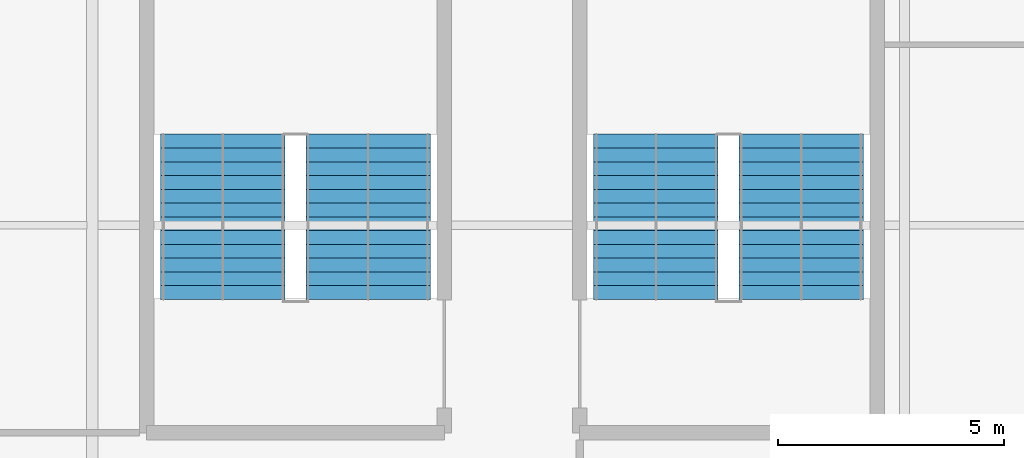
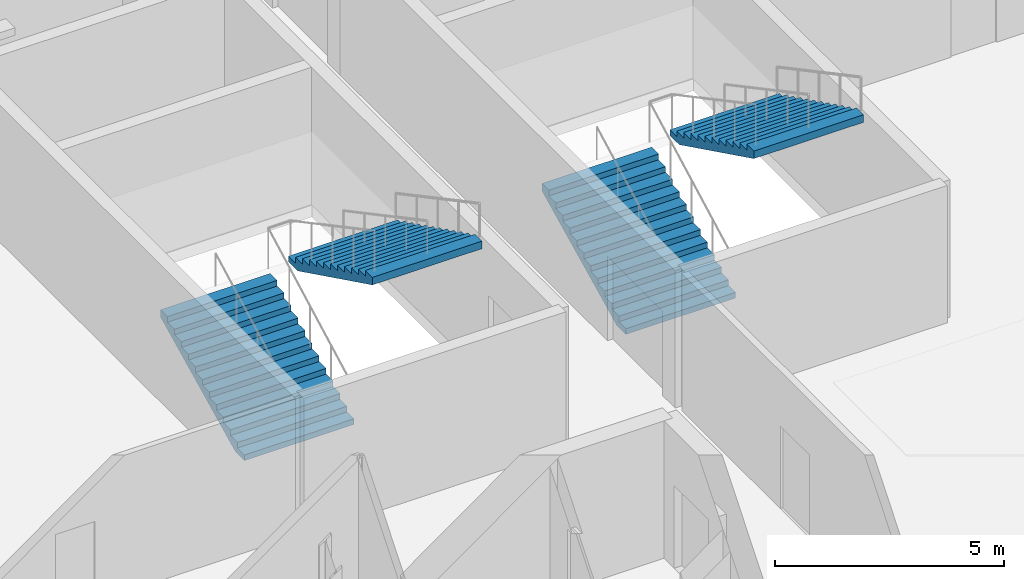
# One storey, part 80 of 96: 4 stair flights, 2 elements without a shape of their own.
"""IFC4 building model written with IfcOpenShell, lengths in metres."""

import ifcopenshell
import ifcopenshell.guid

model = None  # the IFC model being written
_history = None  # IfcOwnerHistory: only IFC2X3 demands one
_inside = {}  # id of a spatial element -> (the spatial element, [elements in it])
_under = {}  # id of a project, library or spatial element -> (it, [spatial elements below it])
_declared = {}  # id of a project -> (the project, [libraries it declares])
_typed = {}  # id of a type object -> (the type object, [elements of that type])
_made_of = {}  # id of a material, layer set ... -> (it, [elements and type objects made of it])


def new_model(schema):
    """Start an empty IFC model of exactly this schema.

    Asked for "IFC4X3", IfcOpenShell would pick the latest addendum, in which some entities
    have other attributes; the version numbers below select the first issue.
    IFC2X3 requires an IfcOwnerHistory on every rooted entity: one is made here for all.
    """
    global model, _history
    if schema == "IFC4X3":
        model = ifcopenshell.file(schema_version=(4, 3, 0, 0))
    else:
        model = ifcopenshell.file(schema=schema)
    _inside.clear()
    _under.clear()
    _declared.clear()
    _typed.clear()
    _made_of.clear()
    _history = None
    if model.schema == "IFC2X3":
        org = make("IfcOrganization", Name="unknown")
        user = make(
            "IfcPersonAndOrganization",
            ThePerson=make("IfcPerson", FamilyName="unknown"),
            TheOrganization=org,
        )
        app = make(
            "IfcApplication",
            ApplicationDeveloper=org,
            Version="unknown",
            ApplicationFullName="unknown",
            ApplicationIdentifier="unknown",
        )
        _history = make(
            "IfcOwnerHistory",
            OwningUser=user,
            OwningApplication=app,
            ChangeAction="ADDED",
            CreationDate=0,
        )
    return model


def make(cls, **values):
    """One entity of the class cls with the attributes given. An attribute that is None is left unset."""
    return model.create_entity(
        cls, **{name: value for name, value in values.items() if value is not None}
    )


def rooted(cls, **values):
    """An entity with a GlobalId (a new one), such as an element, a storey or a relation."""
    return make(cls, GlobalId=ifcopenshell.guid.new(), OwnerHistory=_history, **values)


def si_unit(unit_type, name, prefix=None):
    """IfcSIUnit, for example si_unit("LENGTHUNIT", "METRE", prefix="MILLI")."""
    return make("IfcSIUnit", UnitType=unit_type, Prefix=prefix, Name=name)


def assignment(units):
    """IfcUnitAssignment: the units of a project."""
    return None if units is None else make("IfcUnitAssignment", Units=units)


def point(xyz):
    """IfcCartesianPoint."""
    return None if xyz is None else make("IfcCartesianPoint", Coordinates=xyz)


def direction(xyz):
    """IfcDirection."""
    return None if xyz is None else make("IfcDirection", DirectionRatios=xyz)


def frame(location, z_axis=None, x_axis=None):
    """IfcAxis2Placement3D, a coordinate frame: its origin and axes. An axis left out is left unset."""
    return make(
        "IfcAxis2Placement3D",
        Location=point(location),
        Axis=direction(z_axis),
        RefDirection=direction(x_axis),
    )


def origin():
    """The frame at (0, 0, 0) with its axes left unset."""
    return frame((0.0, 0.0, 0.0))


def place(relative_to, where):
    """IfcLocalPlacement: puts the frame where relative to a parent placement (None: the world)."""
    return make(
        "IfcLocalPlacement", PlacementRelTo=relative_to, RelativePlacement=where
    )


def context(
    kind, dimensions, precision=None, world=None, true_north=None, identifier=None
):
    """IfcGeometricRepresentationContext, for example the 3D "Model" context."""
    return make(
        "IfcGeometricRepresentationContext",
        ContextIdentifier=identifier,
        ContextType=kind,
        CoordinateSpaceDimension=dimensions,
        Precision=precision,
        WorldCoordinateSystem=world,
        TrueNorth=true_north,
    )


def subcontext(parent, identifier, kind, view, scale=None):
    """IfcGeometricRepresentationSubContext, for example "Body" below "Model"."""
    return make(
        "IfcGeometricRepresentationSubContext",
        ContextIdentifier=identifier,
        ContextType=kind,
        ParentContext=parent,
        TargetScale=scale,
        TargetView=view,
    )


def project(units=None, contexts=None):
    """IfcProject with its units and contexts."""
    return rooted(
        "IfcProject",
        Name="project",
        RepresentationContexts=contexts,
        UnitsInContext=assignment(units),
    )


def spatial(cls, under=None, at=None, **own):
    """A site, building, storey or space (cls), placed at a placement, below another one or the project."""
    s = rooted(cls, ObjectPlacement=at, **own)
    if under is not None:
        _under.setdefault(under.id(), (under, []))[1].append(s)
    return s


def point_list(points):
    """IfcCartesianPointList2D or 3D."""
    cls = (
        "IfcCartesianPointList2D" if len(points[0]) == 2 else "IfcCartesianPointList3D"
    )
    return make(cls, CoordList=points)


def polygons(points, faces, closed=None, point_numbers=None):
    """IfcPolygonalFaceSet: a face is its outer loop, then its inner loops; points numbered from 1."""
    made = []
    for loops in faces:
        if len(loops) == 1:
            made.append(make("IfcIndexedPolygonalFace", CoordIndex=loops[0]))
        else:
            made.append(
                make(
                    "IfcIndexedPolygonalFaceWithVoids",
                    CoordIndex=loops[0],
                    InnerCoordIndices=loops[1:],
                )
            )
    return make(
        "IfcPolygonalFaceSet",
        Coordinates=point_list(points),
        Closed=closed,
        Faces=made,
        PnIndex=point_numbers,
    )


def shape(context_of_items, identifier, shape_type, items):
    """IfcShapeRepresentation: the items that make up one representation, for example the "Body"."""
    return make(
        "IfcShapeRepresentation",
        ContextOfItems=context_of_items,
        RepresentationIdentifier=identifier,
        RepresentationType=shape_type,
        Items=items,
    )


def material(Name=None, Category=None):
    """IfcMaterial."""
    return make("IfcMaterial", Name=Name, Category=Category)


def made_of(thing, what):
    """Note that an element or type object is made of a material, layer set ...; save() writes the relation."""
    if what is not None:
        _made_of.setdefault(what.id(), (what, []))[1].append(thing)
    return thing


def type_object(cls, material=None, **own):
    """A type object (cls), such as IfcWallType, which elements share."""
    return made_of(rooted(cls, **own), material)


def element(
    cls,
    number,
    at=None,
    inside=None,
    cuts=None,
    type_object=None,
    material=None,
    context=None,
    identifier="Body",
    shape_type=None,
    held_by="IfcProductDefinitionShape",
    body=None,
    shapes=None,
    **own,
):
    """One element of the class cls, such as IfcWall. Its Tag is "e" and its number.

    at: its placement. inside: the storey or other place that contains it. cuts: it is an
    opening in that element (IfcRelVoidsElement). A single representation is given by context,
    identifier, shape_type and body (its items); several are given by shapes. held_by: the class
    of the entity that holds the representations. save() writes the other relations.
    """
    e = rooted(cls, Tag="e%d" % number, ObjectPlacement=at, **own)
    if body is not None:
        shapes = [shape(context, identifier, shape_type, body)]
    if shapes is not None:
        e.Representation = make(held_by, Representations=shapes)
    if inside is not None:
        _inside.setdefault(inside.id(), (inside, []))[1].append(e)
    if cuts is not None:
        rooted(
            "IfcRelVoidsElement", RelatingBuildingElement=cuts, RelatedOpeningElement=e
        )
    if type_object is not None:
        _typed.setdefault(type_object.id(), (type_object, []))[1].append(e)
    return made_of(e, material)


def aggregate(whole, parts):
    """IfcRelAggregates: a whole, such as a stair, and the parts it consists of."""
    return rooted("IfcRelAggregates", RelatingObject=whole, RelatedObjects=parts)


def save(model, path):
    """Write the relations noted so far, then the file.

    IfcRelAggregates (storeys below a building ...), IfcRelContainedInSpatialStructure (elements
    in a storey), IfcRelDefinesByType, IfcRelAssociatesMaterial and IfcRelDeclares: one each for
    every whole, place, type object, material and project.
    """
    for whole, parts in _under.values():
        aggregate(whole, parts)
    for where, things in _inside.values():
        rooted(
            "IfcRelContainedInSpatialStructure",
            RelatedElements=things,
            RelatingStructure=where,
        )
    for kind, things in _typed.values():
        rooted("IfcRelDefinesByType", RelatedObjects=things, RelatingType=kind)
    for what, things in _made_of.values():
        rooted("IfcRelAssociatesMaterial", RelatedObjects=things, RelatingMaterial=what)
    for by, libraries in _declared.values():
        rooted("IfcRelDeclares", RelatingContext=by, RelatedDefinitions=libraries)
    model.write(path)


model = new_model("IFC4")

# Units and contexts
model_context = context("Model", 3, precision=1e-05, world=origin(), true_north=direction((0.0, 1.0)))
body_context = subcontext(model_context, "Body", "Model", "MODEL_VIEW")
ifc_project = project(units=[si_unit("LENGTHUNIT", "METRE"), si_unit("AREAUNIT", "SQUARE_METRE"), si_unit("VOLUMEUNIT", "CUBIC_METRE"), si_unit("PLANEANGLEUNIT", "RADIAN"), si_unit("MASSUNIT", "GRAM", prefix="KILO")], contexts=[model_context])

# Site, building, storey
site_placement = place(None, origin())
site = spatial("IfcSite", under=ifc_project, at=site_placement, CompositionType="ELEMENT")
building_placement = place(site_placement, origin())
building = spatial("IfcBuilding", under=site, at=building_placement, Name="Kisiwana Market Hall", CompositionType="ELEMENT")
storey_placement = place(building_placement, frame((0.0, 0.0, 25.5)))
storey = spatial("IfcBuildingStorey", under=building, at=storey_placement, Name="L05", CompositionType="ELEMENT", Elevation=25.5)

# Stair, stair flights
ifc_material_1 = material(Name="Concrete C32/40", Category="concrete")
stair_type = type_object("IfcStairType", Name="ST-ESC-3900", PredefinedType="TWO_STRAIGHT_RUN_STAIR", material=ifc_material_1)
stair_1_placement = place(storey_placement, origin())
stair_1 = element("IfcStair", 1, at=stair_1_placement, inside=storey, type_object=stair_type, Name="Escape stair ST-W3-L05", PredefinedType="TWO_STRAIGHT_RUN_STAIR")
ifc_material_2 = material(Name="Concrete C32/40", Category="concrete")
stair_flight_type = type_object("IfcStairFlightType", Name="SF-ESC-3900", PredefinedType="STRAIGHT", material=ifc_material_2)
stair_flight_1_placement = place(storey_placement, frame((11.889892578125, 42.360107421875, 0.0), z_axis=(0.0, 0.0, 1.0), x_axis=(0.0, 1.0, 0.0)))
stair_flight_1 = element("IfcStairFlight", 2, at=stair_flight_1_placement, type_object=stair_flight_type, Name="ST-W3-L05 flight 1", NumberOfRisers=13, NumberOfTreads=12, PredefinedType="STRAIGHT", RiserHeight=0.15, TreadLength=0.305, context=body_context, shape_type="Tessellation", body=[
    polygons([(0.0, -1.380127, 0.0), (0.0, -0.690125, 0.0), (0.0, -0.000122, 0.0), (0.0, 0.68988, 0.0), (0.0, 1.379883, 0.0), (0.0, -1.380127, 0.149902), (0.0, -0.690125, 0.149902), (0.0, -0.000122, 0.149902), (0.0, 0.68988, 0.149902), (0.0, 1.379883, 0.149902), (0.304932, -1.380127, 0.149902), (0.304932, -0.690125, 0.149902), (0.304932, -0.000122, 0.149902), (0.304932, 0.68988, 0.149902), (0.304932, 1.379883, 0.149902), (0.304932, -1.380127, 0.300049), (0.304932, -0.690125, 0.300049), (0.304932, -0.000122, 0.300049), (0.304932, 0.68988, 0.300049), (0.304932, 1.379883, 0.300049), (0.610107, -1.380127, 0.300049), (0.610107, -0.690125, 0.300049), (0.610107, -0.000122, 0.300049), (0.610107, 0.68988, 0.300049), (0.610107, 1.379883, 0.300049), (0.610107, -1.380127, 0.449951), (0.610107, -0.690125, 0.449951), (0.610107, -0.000122, 0.449951), (0.610107, 0.68988, 0.449951), (0.610107, 1.379883, 0.449951), (0.915039, -1.380127, 0.449951), (0.915039, -0.690125, 0.449951), (0.915039, -0.000122, 0.449951), (0.915039, 0.68988, 0.449951), (0.915039, 1.379883, 0.449951), (0.915039, -1.380127, 0.600098), (0.915039, -0.690125, 0.600098), (0.915039, -0.000122, 0.600098), (0.915039, 0.68988, 0.600098), (0.915039, 1.379883, 0.600098), (1.219971, -1.380127, 0.600098), (1.219971, -0.690125, 0.600098), (1.219971, -0.000122, 0.600098), (1.219971, 0.68988, 0.600098), (1.219971, 1.379883, 0.600098), (1.219971, -1.380127, 0.75), (1.219971, -0.690125, 0.75), (1.219971, -0.000122, 0.75), (1.219971, 0.68988, 0.75), (1.219971, 1.379883, 0.75), (1.524902, -1.380127, 0.75), (1.524902, -0.690125, 0.75), (1.524902, -0.000122, 0.75), (1.524902, 0.68988, 0.75), (1.524902, 1.379883, 0.75), (1.524902, -1.380127, 0.899902), (1.524902, -0.690125, 0.899902), (1.524902, -0.000122, 0.899902), (1.524902, 0.68988, 0.899902), (1.524902, 1.379883, 0.899902), (1.830078, -1.380127, 0.899902), (1.830078, -0.690125, 0.899902), (1.830078, -0.000122, 0.899902), (1.830078, 0.68988, 0.899902), (1.830078, 1.379883, 0.899902), (1.830078, -1.380127, 1.050049), (1.830078, -0.690125, 1.050049), (1.830078, -0.000122, 1.050049), (1.830078, 0.68988, 1.050049), (1.830078, 1.379883, 1.050049), (2.13501, -1.380127, 1.050049), (2.13501, -0.690125, 1.050049), (2.13501, -0.000122, 1.050049), (2.13501, 0.68988, 1.050049), (2.13501, 1.379883, 1.050049), (2.13501, -1.380127, 1.199951), (2.13501, -0.690125, 1.199951), (2.13501, -0.000122, 1.199951), (2.13501, 0.68988, 1.199951), (2.13501, 1.379883, 1.199951), (2.439941, -1.380127, 1.199951), (2.439941, -0.690125, 1.199951), (2.439941, -0.000122, 1.199951), (2.439941, 0.68988, 1.199951), (2.439941, 1.379883, 1.199951), (2.439941, -1.380127, 1.350098), (2.439941, -0.690125, 1.350098), (2.439941, -0.000122, 1.350098), (2.439941, 0.68988, 1.350098), (2.439941, 1.379883, 1.350098), (2.745117, -1.380127, 1.350098), (2.745117, -0.690125, 1.350098), (2.745117, -0.000122, 1.350098), (2.745117, 0.68988, 1.350098), (2.745117, 1.379883, 1.350098), (2.745117, -1.380127, 1.5), (2.745117, -0.690125, 1.5), (2.745117, -0.000122, 1.5), (2.745117, 0.68988, 1.5), (2.745117, 1.379883, 1.5), (3.050049, -1.380127, 1.5), (3.050049, -0.690125, 1.5), (3.050049, -0.000122, 1.5), (3.050049, 0.68988, 1.5), (3.050049, 1.379883, 1.5), (3.050049, -1.380127, 1.649902), (3.050049, -0.690125, 1.649902), (3.050049, -0.000122, 1.649902), (3.050049, 0.68988, 1.649902), (3.050049, 1.379883, 1.649902), (3.35498, -1.380127, 1.649902), (3.35498, -0.690125, 1.649902), (3.35498, -0.000122, 1.649902), (3.35498, 0.68988, 1.649902), (3.35498, 1.379883, 1.649902), (3.35498, -1.380127, 1.800049), (3.35498, -0.690125, 1.800049), (3.35498, -0.000122, 1.800049), (3.35498, 0.68988, 1.800049), (3.35498, 1.379883, 1.800049), (3.659912, -1.380127, 1.800049), (3.659912, -0.690125, 1.800049), (3.659912, -0.000122, 1.800049), (3.659912, 0.68988, 1.800049), (3.659912, 1.379883, 1.800049), (3.659912, -1.380127, 1.599365), (3.659912, -0.690125, 1.599365), (3.659912, -0.000122, 1.599365), (3.659912, 0.68988, 1.599365), (3.659912, 1.379883, 1.599365), (0.407715, -1.380127, 0.0), (0.407715, -0.690125, 0.0), (0.407715, -0.000122, 0.0), (0.407715, 0.68988, 0.0), (0.407715, 1.379883, 0.0)], [[[1, 6, 7, 2]], [[2, 7, 8, 3]], [[3, 8, 9, 4]], [[4, 9, 10, 5]], [[6, 11, 12, 7]], [[7, 12, 13, 8]], [[8, 13, 14, 9]], [[9, 14, 15, 10]], [[11, 16, 17, 12]], [[12, 17, 18, 13]], [[13, 18, 19, 14]], [[14, 19, 20, 15]], [[16, 21, 22, 17]], [[17, 22, 23, 18]], [[18, 23, 24, 19]], [[19, 24, 25, 20]], [[21, 26, 27, 22]], [[22, 27, 28, 23]], [[23, 28, 29, 24]], [[24, 29, 30, 25]], [[26, 31, 32, 27]], [[27, 32, 33, 28]], [[28, 33, 34, 29]], [[29, 34, 35, 30]], [[31, 36, 37, 32]], [[32, 37, 38, 33]], [[33, 38, 39, 34]], [[34, 39, 40, 35]], [[36, 41, 42, 37]], [[37, 42, 43, 38]], [[38, 43, 44, 39]], [[39, 44, 45, 40]], [[41, 46, 47, 42]], [[42, 47, 48, 43]], [[43, 48, 49, 44]], [[44, 49, 50, 45]], [[46, 51, 52, 47]], [[47, 52, 53, 48]], [[48, 53, 54, 49]], [[49, 54, 55, 50]], [[51, 56, 57, 52]], [[52, 57, 58, 53]], [[53, 58, 59, 54]], [[54, 59, 60, 55]], [[56, 61, 62, 57]], [[57, 62, 63, 58]], [[58, 63, 64, 59]], [[59, 64, 65, 60]], [[61, 66, 67, 62]], [[62, 67, 68, 63]], [[63, 68, 69, 64]], [[64, 69, 70, 65]], [[66, 71, 72, 67]], [[67, 72, 73, 68]], [[68, 73, 74, 69]], [[69, 74, 75, 70]], [[71, 76, 77, 72]], [[72, 77, 78, 73]], [[73, 78, 79, 74]], [[74, 79, 80, 75]], [[76, 81, 82, 77]], [[77, 82, 83, 78]], [[78, 83, 84, 79]], [[79, 84, 85, 80]], [[81, 86, 87, 82]], [[82, 87, 88, 83]], [[83, 88, 89, 84]], [[84, 89, 90, 85]], [[86, 91, 92, 87]], [[87, 92, 93, 88]], [[88, 93, 94, 89]], [[89, 94, 95, 90]], [[91, 96, 97, 92]], [[92, 97, 98, 93]], [[93, 98, 99, 94]], [[94, 99, 100, 95]], [[96, 101, 102, 97]], [[97, 102, 103, 98]], [[98, 103, 104, 99]], [[99, 104, 105, 100]], [[101, 106, 107, 102]], [[102, 107, 108, 103]], [[103, 108, 109, 104]], [[104, 109, 110, 105]], [[106, 111, 112, 107]], [[107, 112, 113, 108]], [[108, 113, 114, 109]], [[109, 114, 115, 110]], [[111, 116, 117, 112]], [[112, 117, 118, 113]], [[113, 118, 119, 114]], [[114, 119, 120, 115]], [[116, 121, 122, 117]], [[117, 122, 123, 118]], [[118, 123, 124, 119]], [[119, 124, 125, 120]], [[121, 126, 127, 122]], [[122, 127, 128, 123]], [[123, 128, 129, 124]], [[124, 129, 130, 125]], [[126, 131, 132, 127]], [[127, 132, 133, 128]], [[128, 133, 134, 129]], [[129, 134, 135, 130]], [[131, 1, 2, 132]], [[132, 2, 3, 133]], [[133, 3, 4, 134]], [[134, 4, 5, 135]], [[131, 126, 121, 116, 111, 106, 101, 96, 91, 86, 81, 76, 71, 66, 61, 56, 51, 46, 41, 36, 31, 26, 21, 16, 11, 6, 1]], [[5, 10, 15, 20, 25, 30, 35, 40, 45, 50, 55, 60, 65, 70, 75, 80, 85, 90, 95, 100, 105, 110, 115, 120, 125, 130, 135]]], closed=True),
])
stair_flight_2_placement = place(storey_placement, frame((15.110107421875, 46.02001953125, 1.949951171875), z_axis=(0.0, 0.0, 1.0), x_axis=(0.0, -1.0, 0.0)))
stair_flight_2 = element("IfcStairFlight", 3, at=stair_flight_2_placement, type_object=stair_flight_type, Name="ST-W3-L05 flight 2", NumberOfRisers=13, NumberOfTreads=12, PredefinedType="STRAIGHT", RiserHeight=0.15, TreadLength=0.305, context=body_context, shape_type="Tessellation", body=[
    polygons([(0.0, -1.380127, 0.0), (0.0, -0.690125, 0.0), (0.0, -0.000122, 0.0), (0.0, 0.68988, 0.0), (0.0, 1.379883, 0.0), (0.0, -1.380127, 0.149902), (0.0, -0.690125, 0.149902), (0.0, -0.000122, 0.149902), (0.0, 0.68988, 0.149902), (0.0, 1.379883, 0.149902), (0.304932, -1.380127, 0.149902), (0.304932, -0.690125, 0.149902), (0.304932, -0.000122, 0.149902), (0.304932, 0.68988, 0.149902), (0.304932, 1.379883, 0.149902), (0.304932, -1.380127, 0.300049), (0.304932, -0.690125, 0.300049), (0.304932, -0.000122, 0.300049), (0.304932, 0.68988, 0.300049), (0.304932, 1.379883, 0.300049), (0.610107, -1.380127, 0.300049), (0.610107, -0.690125, 0.300049), (0.610107, -0.000122, 0.300049), (0.610107, 0.68988, 0.300049), (0.610107, 1.379883, 0.300049), (0.610107, -1.380127, 0.449951), (0.610107, -0.690125, 0.449951), (0.610107, -0.000122, 0.449951), (0.610107, 0.68988, 0.449951), (0.610107, 1.379883, 0.449951), (0.915039, -1.380127, 0.449951), (0.915039, -0.690125, 0.449951), (0.915039, -0.000122, 0.449951), (0.915039, 0.68988, 0.449951), (0.915039, 1.379883, 0.449951), (0.915039, -1.380127, 0.600098), (0.915039, -0.690125, 0.600098), (0.915039, -0.000122, 0.600098), (0.915039, 0.68988, 0.600098), (0.915039, 1.379883, 0.600098), (1.219971, -1.380127, 0.600098), (1.219971, -0.690125, 0.600098), (1.219971, -0.000122, 0.600098), (1.219971, 0.68988, 0.600098), (1.219971, 1.379883, 0.600098), (1.219971, -1.380127, 0.75), (1.219971, -0.690125, 0.75), (1.219971, -0.000122, 0.75), (1.219971, 0.68988, 0.75), (1.219971, 1.379883, 0.75), (1.524902, -1.380127, 0.75), (1.524902, -0.690125, 0.75), (1.524902, -0.000122, 0.75), (1.524902, 0.68988, 0.75), (1.524902, 1.379883, 0.75), (1.524902, -1.380127, 0.899902), (1.524902, -0.690125, 0.899902), (1.524902, -0.000122, 0.899902), (1.524902, 0.68988, 0.899902), (1.524902, 1.379883, 0.899902), (1.830078, -1.380127, 0.899902), (1.830078, -0.690125, 0.899902), (1.830078, -0.000122, 0.899902), (1.830078, 0.68988, 0.899902), (1.830078, 1.379883, 0.899902), (1.830078, -1.380127, 1.050049), (1.830078, -0.690125, 1.050049), (1.830078, -0.000122, 1.050049), (1.830078, 0.68988, 1.050049), (1.830078, 1.379883, 1.050049), (2.13501, -1.380127, 1.050049), (2.13501, -0.690125, 1.050049), (2.13501, -0.000122, 1.050049), (2.13501, 0.68988, 1.050049), (2.13501, 1.379883, 1.050049), (2.13501, -1.380127, 1.199951), (2.13501, -0.690125, 1.199951), (2.13501, -0.000122, 1.199951), (2.13501, 0.68988, 1.199951), (2.13501, 1.379883, 1.199951), (2.439941, -1.380127, 1.199951), (2.439941, -0.690125, 1.199951), (2.439941, -0.000122, 1.199951), (2.439941, 0.68988, 1.199951), (2.439941, 1.379883, 1.199951), (2.439941, -1.380127, 1.350098), (2.439941, -0.690125, 1.350098), (2.439941, -0.000122, 1.350098), (2.439941, 0.68988, 1.350098), (2.439941, 1.379883, 1.350098), (2.745117, -1.380127, 1.350098), (2.745117, -0.690125, 1.350098), (2.745117, -0.000122, 1.350098), (2.745117, 0.68988, 1.350098), (2.745117, 1.379883, 1.350098), (2.745117, -1.380127, 1.5), (2.745117, -0.690125, 1.5), (2.745117, -0.000122, 1.5), (2.745117, 0.68988, 1.5), (2.745117, 1.379883, 1.5), (3.050049, -1.380127, 1.5), (3.050049, -0.690125, 1.5), (3.050049, -0.000122, 1.5), (3.050049, 0.68988, 1.5), (3.050049, 1.379883, 1.5), (3.050049, -1.380127, 1.649902), (3.050049, -0.690125, 1.649902), (3.050049, -0.000122, 1.649902), (3.050049, 0.68988, 1.649902), (3.050049, 1.379883, 1.649902), (3.35498, -1.380127, 1.649902), (3.35498, -0.690125, 1.649902), (3.35498, -0.000122, 1.649902), (3.35498, 0.68988, 1.649902), (3.35498, 1.379883, 1.649902), (3.35498, -1.380127, 1.800049), (3.35498, -0.690125, 1.800049), (3.35498, -0.000122, 1.800049), (3.35498, 0.68988, 1.800049), (3.35498, 1.379883, 1.800049), (3.659912, -1.380127, 1.800049), (3.659912, -0.690125, 1.800049), (3.659912, -0.000122, 1.800049), (3.659912, 0.68988, 1.800049), (3.659912, 1.379883, 1.800049), (3.659912, -1.380127, 1.599365), (3.659912, -0.690125, 1.599365), (3.659912, -0.000122, 1.599365), (3.659912, 0.68988, 1.599365), (3.659912, 1.379883, 1.599365), (0.407715, -1.380127, 0.0), (0.407715, -0.690125, 0.0), (0.407715, -0.000122, 0.0), (0.407715, 0.68988, 0.0), (0.407715, 1.379883, 0.0)], [[[1, 6, 7, 2]], [[2, 7, 8, 3]], [[3, 8, 9, 4]], [[4, 9, 10, 5]], [[6, 11, 12, 7]], [[7, 12, 13, 8]], [[8, 13, 14, 9]], [[9, 14, 15, 10]], [[11, 16, 17, 12]], [[12, 17, 18, 13]], [[13, 18, 19, 14]], [[14, 19, 20, 15]], [[16, 21, 22, 17]], [[17, 22, 23, 18]], [[18, 23, 24, 19]], [[19, 24, 25, 20]], [[21, 26, 27, 22]], [[22, 27, 28, 23]], [[23, 28, 29, 24]], [[24, 29, 30, 25]], [[26, 31, 32, 27]], [[27, 32, 33, 28]], [[28, 33, 34, 29]], [[29, 34, 35, 30]], [[31, 36, 37, 32]], [[32, 37, 38, 33]], [[33, 38, 39, 34]], [[34, 39, 40, 35]], [[36, 41, 42, 37]], [[37, 42, 43, 38]], [[38, 43, 44, 39]], [[39, 44, 45, 40]], [[41, 46, 47, 42]], [[42, 47, 48, 43]], [[43, 48, 49, 44]], [[44, 49, 50, 45]], [[46, 51, 52, 47]], [[47, 52, 53, 48]], [[48, 53, 54, 49]], [[49, 54, 55, 50]], [[51, 56, 57, 52]], [[52, 57, 58, 53]], [[53, 58, 59, 54]], [[54, 59, 60, 55]], [[56, 61, 62, 57]], [[57, 62, 63, 58]], [[58, 63, 64, 59]], [[59, 64, 65, 60]], [[61, 66, 67, 62]], [[62, 67, 68, 63]], [[63, 68, 69, 64]], [[64, 69, 70, 65]], [[66, 71, 72, 67]], [[67, 72, 73, 68]], [[68, 73, 74, 69]], [[69, 74, 75, 70]], [[71, 76, 77, 72]], [[72, 77, 78, 73]], [[73, 78, 79, 74]], [[74, 79, 80, 75]], [[76, 81, 82, 77]], [[77, 82, 83, 78]], [[78, 83, 84, 79]], [[79, 84, 85, 80]], [[81, 86, 87, 82]], [[82, 87, 88, 83]], [[83, 88, 89, 84]], [[84, 89, 90, 85]], [[86, 91, 92, 87]], [[87, 92, 93, 88]], [[88, 93, 94, 89]], [[89, 94, 95, 90]], [[91, 96, 97, 92]], [[92, 97, 98, 93]], [[93, 98, 99, 94]], [[94, 99, 100, 95]], [[96, 101, 102, 97]], [[97, 102, 103, 98]], [[98, 103, 104, 99]], [[99, 104, 105, 100]], [[101, 106, 107, 102]], [[102, 107, 108, 103]], [[103, 108, 109, 104]], [[104, 109, 110, 105]], [[106, 111, 112, 107]], [[107, 112, 113, 108]], [[108, 113, 114, 109]], [[109, 114, 115, 110]], [[111, 116, 117, 112]], [[112, 117, 118, 113]], [[113, 118, 119, 114]], [[114, 119, 120, 115]], [[116, 121, 122, 117]], [[117, 122, 123, 118]], [[118, 123, 124, 119]], [[119, 124, 125, 120]], [[121, 126, 127, 122]], [[122, 127, 128, 123]], [[123, 128, 129, 124]], [[124, 129, 130, 125]], [[126, 131, 132, 127]], [[127, 132, 133, 128]], [[128, 133, 134, 129]], [[129, 134, 135, 130]], [[131, 1, 2, 132]], [[132, 2, 3, 133]], [[133, 3, 4, 134]], [[134, 4, 5, 135]], [[131, 126, 121, 116, 111, 106, 101, 96, 91, 86, 81, 76, 71, 66, 61, 56, 51, 46, 41, 36, 31, 26, 21, 16, 11, 6, 1]], [[5, 10, 15, 20, 25, 30, 35, 40, 45, 50, 55, 60, 65, 70, 75, 80, 85, 90, 95, 100, 105, 110, 115, 120, 125, 130, 135]]], closed=True),
])
aggregate(stair_1, [stair_flight_1, stair_flight_2])

stair_2_placement = place(storey_placement, origin())
stair_2 = element("IfcStair", 4, at=stair_2_placement, inside=storey, type_object=stair_type, Name="Escape stair ST-W7-L05", PredefinedType="TWO_STRAIGHT_RUN_STAIR")
stair_flight_3_placement = place(storey_placement, frame((21.489990234375, 42.360107421875, 0.0), z_axis=(0.0, 0.0, 1.0), x_axis=(0.0, 1.0, 0.0)))
stair_flight_3 = element("IfcStairFlight", 5, at=stair_flight_3_placement, type_object=stair_flight_type, Name="ST-W7-L05 flight 1", NumberOfRisers=13, NumberOfTreads=12, PredefinedType="STRAIGHT", RiserHeight=0.15, TreadLength=0.305, context=body_context, shape_type="Tessellation", body=[
    polygons([(0.0, -1.380127, 0.0), (0.0, -0.690125, 0.0), (0.0, -0.000122, 0.0), (0.0, 0.68988, 0.0), (0.0, 1.379883, 0.0), (0.0, -1.380127, 0.149902), (0.0, -0.690125, 0.149902), (0.0, -0.000122, 0.149902), (0.0, 0.68988, 0.149902), (0.0, 1.379883, 0.149902), (0.304932, -1.380127, 0.149902), (0.304932, -0.690125, 0.149902), (0.304932, -0.000122, 0.149902), (0.304932, 0.68988, 0.149902), (0.304932, 1.379883, 0.149902), (0.304932, -1.380127, 0.300049), (0.304932, -0.690125, 0.300049), (0.304932, -0.000122, 0.300049), (0.304932, 0.68988, 0.300049), (0.304932, 1.379883, 0.300049), (0.610107, -1.380127, 0.300049), (0.610107, -0.690125, 0.300049), (0.610107, -0.000122, 0.300049), (0.610107, 0.68988, 0.300049), (0.610107, 1.379883, 0.300049), (0.610107, -1.380127, 0.449951), (0.610107, -0.690125, 0.449951), (0.610107, -0.000122, 0.449951), (0.610107, 0.68988, 0.449951), (0.610107, 1.379883, 0.449951), (0.915039, -1.380127, 0.449951), (0.915039, -0.690125, 0.449951), (0.915039, -0.000122, 0.449951), (0.915039, 0.68988, 0.449951), (0.915039, 1.379883, 0.449951), (0.915039, -1.380127, 0.600098), (0.915039, -0.690125, 0.600098), (0.915039, -0.000122, 0.600098), (0.915039, 0.68988, 0.600098), (0.915039, 1.379883, 0.600098), (1.219971, -1.380127, 0.600098), (1.219971, -0.690125, 0.600098), (1.219971, -0.000122, 0.600098), (1.219971, 0.68988, 0.600098), (1.219971, 1.379883, 0.600098), (1.219971, -1.380127, 0.75), (1.219971, -0.690125, 0.75), (1.219971, -0.000122, 0.75), (1.219971, 0.68988, 0.75), (1.219971, 1.379883, 0.75), (1.524902, -1.380127, 0.75), (1.524902, -0.690125, 0.75), (1.524902, -0.000122, 0.75), (1.524902, 0.68988, 0.75), (1.524902, 1.379883, 0.75), (1.524902, -1.380127, 0.899902), (1.524902, -0.690125, 0.899902), (1.524902, -0.000122, 0.899902), (1.524902, 0.68988, 0.899902), (1.524902, 1.379883, 0.899902), (1.830078, -1.380127, 0.899902), (1.830078, -0.690125, 0.899902), (1.830078, -0.000122, 0.899902), (1.830078, 0.68988, 0.899902), (1.830078, 1.379883, 0.899902), (1.830078, -1.380127, 1.050049), (1.830078, -0.690125, 1.050049), (1.830078, -0.000122, 1.050049), (1.830078, 0.68988, 1.050049), (1.830078, 1.379883, 1.050049), (2.13501, -1.380127, 1.050049), (2.13501, -0.690125, 1.050049), (2.13501, -0.000122, 1.050049), (2.13501, 0.68988, 1.050049), (2.13501, 1.379883, 1.050049), (2.13501, -1.380127, 1.199951), (2.13501, -0.690125, 1.199951), (2.13501, -0.000122, 1.199951), (2.13501, 0.68988, 1.199951), (2.13501, 1.379883, 1.199951), (2.439941, -1.380127, 1.199951), (2.439941, -0.690125, 1.199951), (2.439941, -0.000122, 1.199951), (2.439941, 0.68988, 1.199951), (2.439941, 1.379883, 1.199951), (2.439941, -1.380127, 1.350098), (2.439941, -0.690125, 1.350098), (2.439941, -0.000122, 1.350098), (2.439941, 0.68988, 1.350098), (2.439941, 1.379883, 1.350098), (2.745117, -1.380127, 1.350098), (2.745117, -0.690125, 1.350098), (2.745117, -0.000122, 1.350098), (2.745117, 0.68988, 1.350098), (2.745117, 1.379883, 1.350098), (2.745117, -1.380127, 1.5), (2.745117, -0.690125, 1.5), (2.745117, -0.000122, 1.5), (2.745117, 0.68988, 1.5), (2.745117, 1.379883, 1.5), (3.050049, -1.380127, 1.5), (3.050049, -0.690125, 1.5), (3.050049, -0.000122, 1.5), (3.050049, 0.68988, 1.5), (3.050049, 1.379883, 1.5), (3.050049, -1.380127, 1.649902), (3.050049, -0.690125, 1.649902), (3.050049, -0.000122, 1.649902), (3.050049, 0.68988, 1.649902), (3.050049, 1.379883, 1.649902), (3.35498, -1.380127, 1.649902), (3.35498, -0.690125, 1.649902), (3.35498, -0.000122, 1.649902), (3.35498, 0.68988, 1.649902), (3.35498, 1.379883, 1.649902), (3.35498, -1.380127, 1.800049), (3.35498, -0.690125, 1.800049), (3.35498, -0.000122, 1.800049), (3.35498, 0.68988, 1.800049), (3.35498, 1.379883, 1.800049), (3.659912, -1.380127, 1.800049), (3.659912, -0.690125, 1.800049), (3.659912, -0.000122, 1.800049), (3.659912, 0.68988, 1.800049), (3.659912, 1.379883, 1.800049), (3.659912, -1.380127, 1.599365), (3.659912, -0.690125, 1.599365), (3.659912, -0.000122, 1.599365), (3.659912, 0.68988, 1.599365), (3.659912, 1.379883, 1.599365), (0.407715, -1.380127, 0.0), (0.407715, -0.690125, 0.0), (0.407715, -0.000122, 0.0), (0.407715, 0.68988, 0.0), (0.407715, 1.379883, 0.0)], [[[1, 6, 7, 2]], [[2, 7, 8, 3]], [[3, 8, 9, 4]], [[4, 9, 10, 5]], [[6, 11, 12, 7]], [[7, 12, 13, 8]], [[8, 13, 14, 9]], [[9, 14, 15, 10]], [[11, 16, 17, 12]], [[12, 17, 18, 13]], [[13, 18, 19, 14]], [[14, 19, 20, 15]], [[16, 21, 22, 17]], [[17, 22, 23, 18]], [[18, 23, 24, 19]], [[19, 24, 25, 20]], [[21, 26, 27, 22]], [[22, 27, 28, 23]], [[23, 28, 29, 24]], [[24, 29, 30, 25]], [[26, 31, 32, 27]], [[27, 32, 33, 28]], [[28, 33, 34, 29]], [[29, 34, 35, 30]], [[31, 36, 37, 32]], [[32, 37, 38, 33]], [[33, 38, 39, 34]], [[34, 39, 40, 35]], [[36, 41, 42, 37]], [[37, 42, 43, 38]], [[38, 43, 44, 39]], [[39, 44, 45, 40]], [[41, 46, 47, 42]], [[42, 47, 48, 43]], [[43, 48, 49, 44]], [[44, 49, 50, 45]], [[46, 51, 52, 47]], [[47, 52, 53, 48]], [[48, 53, 54, 49]], [[49, 54, 55, 50]], [[51, 56, 57, 52]], [[52, 57, 58, 53]], [[53, 58, 59, 54]], [[54, 59, 60, 55]], [[56, 61, 62, 57]], [[57, 62, 63, 58]], [[58, 63, 64, 59]], [[59, 64, 65, 60]], [[61, 66, 67, 62]], [[62, 67, 68, 63]], [[63, 68, 69, 64]], [[64, 69, 70, 65]], [[66, 71, 72, 67]], [[67, 72, 73, 68]], [[68, 73, 74, 69]], [[69, 74, 75, 70]], [[71, 76, 77, 72]], [[72, 77, 78, 73]], [[73, 78, 79, 74]], [[74, 79, 80, 75]], [[76, 81, 82, 77]], [[77, 82, 83, 78]], [[78, 83, 84, 79]], [[79, 84, 85, 80]], [[81, 86, 87, 82]], [[82, 87, 88, 83]], [[83, 88, 89, 84]], [[84, 89, 90, 85]], [[86, 91, 92, 87]], [[87, 92, 93, 88]], [[88, 93, 94, 89]], [[89, 94, 95, 90]], [[91, 96, 97, 92]], [[92, 97, 98, 93]], [[93, 98, 99, 94]], [[94, 99, 100, 95]], [[96, 101, 102, 97]], [[97, 102, 103, 98]], [[98, 103, 104, 99]], [[99, 104, 105, 100]], [[101, 106, 107, 102]], [[102, 107, 108, 103]], [[103, 108, 109, 104]], [[104, 109, 110, 105]], [[106, 111, 112, 107]], [[107, 112, 113, 108]], [[108, 113, 114, 109]], [[109, 114, 115, 110]], [[111, 116, 117, 112]], [[112, 117, 118, 113]], [[113, 118, 119, 114]], [[114, 119, 120, 115]], [[116, 121, 122, 117]], [[117, 122, 123, 118]], [[118, 123, 124, 119]], [[119, 124, 125, 120]], [[121, 126, 127, 122]], [[122, 127, 128, 123]], [[123, 128, 129, 124]], [[124, 129, 130, 125]], [[126, 131, 132, 127]], [[127, 132, 133, 128]], [[128, 133, 134, 129]], [[129, 134, 135, 130]], [[131, 1, 2, 132]], [[132, 2, 3, 133]], [[133, 3, 4, 134]], [[134, 4, 5, 135]], [[131, 126, 121, 116, 111, 106, 101, 96, 91, 86, 81, 76, 71, 66, 61, 56, 51, 46, 41, 36, 31, 26, 21, 16, 11, 6, 1]], [[5, 10, 15, 20, 25, 30, 35, 40, 45, 50, 55, 60, 65, 70, 75, 80, 85, 90, 95, 100, 105, 110, 115, 120, 125, 130, 135]]], closed=True),
])
stair_flight_4_placement = place(storey_placement, frame((24.7099609375, 46.02001953125, 1.949951171875), z_axis=(0.0, 0.0, 1.0), x_axis=(0.0, -1.0, 0.0)))
stair_flight_4 = element("IfcStairFlight", 6, at=stair_flight_4_placement, type_object=stair_flight_type, Name="ST-W7-L05 flight 2", NumberOfRisers=13, NumberOfTreads=12, PredefinedType="STRAIGHT", RiserHeight=0.15, TreadLength=0.305, context=body_context, shape_type="Tessellation", body=[
    polygons([(0.0, -1.380127, 0.0), (0.0, -0.690125, 0.0), (0.0, -0.000122, 0.0), (0.0, 0.68988, 0.0), (0.0, 1.379883, 0.0), (0.0, -1.380127, 0.149902), (0.0, -0.690125, 0.149902), (0.0, -0.000122, 0.149902), (0.0, 0.68988, 0.149902), (0.0, 1.379883, 0.149902), (0.304932, -1.380127, 0.149902), (0.304932, -0.690125, 0.149902), (0.304932, -0.000122, 0.149902), (0.304932, 0.68988, 0.149902), (0.304932, 1.379883, 0.149902), (0.304932, -1.380127, 0.300049), (0.304932, -0.690125, 0.300049), (0.304932, -0.000122, 0.300049), (0.304932, 0.68988, 0.300049), (0.304932, 1.379883, 0.300049), (0.610107, -1.380127, 0.300049), (0.610107, -0.690125, 0.300049), (0.610107, -0.000122, 0.300049), (0.610107, 0.68988, 0.300049), (0.610107, 1.379883, 0.300049), (0.610107, -1.380127, 0.449951), (0.610107, -0.690125, 0.449951), (0.610107, -0.000122, 0.449951), (0.610107, 0.68988, 0.449951), (0.610107, 1.379883, 0.449951), (0.915039, -1.380127, 0.449951), (0.915039, -0.690125, 0.449951), (0.915039, -0.000122, 0.449951), (0.915039, 0.68988, 0.449951), (0.915039, 1.379883, 0.449951), (0.915039, -1.380127, 0.600098), (0.915039, -0.690125, 0.600098), (0.915039, -0.000122, 0.600098), (0.915039, 0.68988, 0.600098), (0.915039, 1.379883, 0.600098), (1.219971, -1.380127, 0.600098), (1.219971, -0.690125, 0.600098), (1.219971, -0.000122, 0.600098), (1.219971, 0.68988, 0.600098), (1.219971, 1.379883, 0.600098), (1.219971, -1.380127, 0.75), (1.219971, -0.690125, 0.75), (1.219971, -0.000122, 0.75), (1.219971, 0.68988, 0.75), (1.219971, 1.379883, 0.75), (1.524902, -1.380127, 0.75), (1.524902, -0.690125, 0.75), (1.524902, -0.000122, 0.75), (1.524902, 0.68988, 0.75), (1.524902, 1.379883, 0.75), (1.524902, -1.380127, 0.899902), (1.524902, -0.690125, 0.899902), (1.524902, -0.000122, 0.899902), (1.524902, 0.68988, 0.899902), (1.524902, 1.379883, 0.899902), (1.830078, -1.380127, 0.899902), (1.830078, -0.690125, 0.899902), (1.830078, -0.000122, 0.899902), (1.830078, 0.68988, 0.899902), (1.830078, 1.379883, 0.899902), (1.830078, -1.380127, 1.050049), (1.830078, -0.690125, 1.050049), (1.830078, -0.000122, 1.050049), (1.830078, 0.68988, 1.050049), (1.830078, 1.379883, 1.050049), (2.13501, -1.380127, 1.050049), (2.13501, -0.690125, 1.050049), (2.13501, -0.000122, 1.050049), (2.13501, 0.68988, 1.050049), (2.13501, 1.379883, 1.050049), (2.13501, -1.380127, 1.199951), (2.13501, -0.690125, 1.199951), (2.13501, -0.000122, 1.199951), (2.13501, 0.68988, 1.199951), (2.13501, 1.379883, 1.199951), (2.439941, -1.380127, 1.199951), (2.439941, -0.690125, 1.199951), (2.439941, -0.000122, 1.199951), (2.439941, 0.68988, 1.199951), (2.439941, 1.379883, 1.199951), (2.439941, -1.380127, 1.350098), (2.439941, -0.690125, 1.350098), (2.439941, -0.000122, 1.350098), (2.439941, 0.68988, 1.350098), (2.439941, 1.379883, 1.350098), (2.745117, -1.380127, 1.350098), (2.745117, -0.690125, 1.350098), (2.745117, -0.000122, 1.350098), (2.745117, 0.68988, 1.350098), (2.745117, 1.379883, 1.350098), (2.745117, -1.380127, 1.5), (2.745117, -0.690125, 1.5), (2.745117, -0.000122, 1.5), (2.745117, 0.68988, 1.5), (2.745117, 1.379883, 1.5), (3.050049, -1.380127, 1.5), (3.050049, -0.690125, 1.5), (3.050049, -0.000122, 1.5), (3.050049, 0.68988, 1.5), (3.050049, 1.379883, 1.5), (3.050049, -1.380127, 1.649902), (3.050049, -0.690125, 1.649902), (3.050049, -0.000122, 1.649902), (3.050049, 0.68988, 1.649902), (3.050049, 1.379883, 1.649902), (3.35498, -1.380127, 1.649902), (3.35498, -0.690125, 1.649902), (3.35498, -0.000122, 1.649902), (3.35498, 0.68988, 1.649902), (3.35498, 1.379883, 1.649902), (3.35498, -1.380127, 1.800049), (3.35498, -0.690125, 1.800049), (3.35498, -0.000122, 1.800049), (3.35498, 0.68988, 1.800049), (3.35498, 1.379883, 1.800049), (3.659912, -1.380127, 1.800049), (3.659912, -0.690125, 1.800049), (3.659912, -0.000122, 1.800049), (3.659912, 0.68988, 1.800049), (3.659912, 1.379883, 1.800049), (3.659912, -1.380127, 1.599365), (3.659912, -0.690125, 1.599365), (3.659912, -0.000122, 1.599365), (3.659912, 0.68988, 1.599365), (3.659912, 1.379883, 1.599365), (0.407715, -1.380127, 0.0), (0.407715, -0.690125, 0.0), (0.407715, -0.000122, 0.0), (0.407715, 0.68988, 0.0), (0.407715, 1.379883, 0.0)], [[[1, 6, 7, 2]], [[2, 7, 8, 3]], [[3, 8, 9, 4]], [[4, 9, 10, 5]], [[6, 11, 12, 7]], [[7, 12, 13, 8]], [[8, 13, 14, 9]], [[9, 14, 15, 10]], [[11, 16, 17, 12]], [[12, 17, 18, 13]], [[13, 18, 19, 14]], [[14, 19, 20, 15]], [[16, 21, 22, 17]], [[17, 22, 23, 18]], [[18, 23, 24, 19]], [[19, 24, 25, 20]], [[21, 26, 27, 22]], [[22, 27, 28, 23]], [[23, 28, 29, 24]], [[24, 29, 30, 25]], [[26, 31, 32, 27]], [[27, 32, 33, 28]], [[28, 33, 34, 29]], [[29, 34, 35, 30]], [[31, 36, 37, 32]], [[32, 37, 38, 33]], [[33, 38, 39, 34]], [[34, 39, 40, 35]], [[36, 41, 42, 37]], [[37, 42, 43, 38]], [[38, 43, 44, 39]], [[39, 44, 45, 40]], [[41, 46, 47, 42]], [[42, 47, 48, 43]], [[43, 48, 49, 44]], [[44, 49, 50, 45]], [[46, 51, 52, 47]], [[47, 52, 53, 48]], [[48, 53, 54, 49]], [[49, 54, 55, 50]], [[51, 56, 57, 52]], [[52, 57, 58, 53]], [[53, 58, 59, 54]], [[54, 59, 60, 55]], [[56, 61, 62, 57]], [[57, 62, 63, 58]], [[58, 63, 64, 59]], [[59, 64, 65, 60]], [[61, 66, 67, 62]], [[62, 67, 68, 63]], [[63, 68, 69, 64]], [[64, 69, 70, 65]], [[66, 71, 72, 67]], [[67, 72, 73, 68]], [[68, 73, 74, 69]], [[69, 74, 75, 70]], [[71, 76, 77, 72]], [[72, 77, 78, 73]], [[73, 78, 79, 74]], [[74, 79, 80, 75]], [[76, 81, 82, 77]], [[77, 82, 83, 78]], [[78, 83, 84, 79]], [[79, 84, 85, 80]], [[81, 86, 87, 82]], [[82, 87, 88, 83]], [[83, 88, 89, 84]], [[84, 89, 90, 85]], [[86, 91, 92, 87]], [[87, 92, 93, 88]], [[88, 93, 94, 89]], [[89, 94, 95, 90]], [[91, 96, 97, 92]], [[92, 97, 98, 93]], [[93, 98, 99, 94]], [[94, 99, 100, 95]], [[96, 101, 102, 97]], [[97, 102, 103, 98]], [[98, 103, 104, 99]], [[99, 104, 105, 100]], [[101, 106, 107, 102]], [[102, 107, 108, 103]], [[103, 108, 109, 104]], [[104, 109, 110, 105]], [[106, 111, 112, 107]], [[107, 112, 113, 108]], [[108, 113, 114, 109]], [[109, 114, 115, 110]], [[111, 116, 117, 112]], [[112, 117, 118, 113]], [[113, 118, 119, 114]], [[114, 119, 120, 115]], [[116, 121, 122, 117]], [[117, 122, 123, 118]], [[118, 123, 124, 119]], [[119, 124, 125, 120]], [[121, 126, 127, 122]], [[122, 127, 128, 123]], [[123, 128, 129, 124]], [[124, 129, 130, 125]], [[126, 131, 132, 127]], [[127, 132, 133, 128]], [[128, 133, 134, 129]], [[129, 134, 135, 130]], [[131, 1, 2, 132]], [[132, 2, 3, 133]], [[133, 3, 4, 134]], [[134, 4, 5, 135]], [[131, 126, 121, 116, 111, 106, 101, 96, 91, 86, 81, 76, 71, 66, 61, 56, 51, 46, 41, 36, 31, 26, 21, 16, 11, 6, 1]], [[5, 10, 15, 20, 25, 30, 35, 40, 45, 50, 55, 60, 65, 70, 75, 80, 85, 90, 95, 100, 105, 110, 115, 120, 125, 130, 135]]], closed=True),
])
aggregate(stair_2, [stair_flight_3, stair_flight_4])

save(model, "model.ifc")
